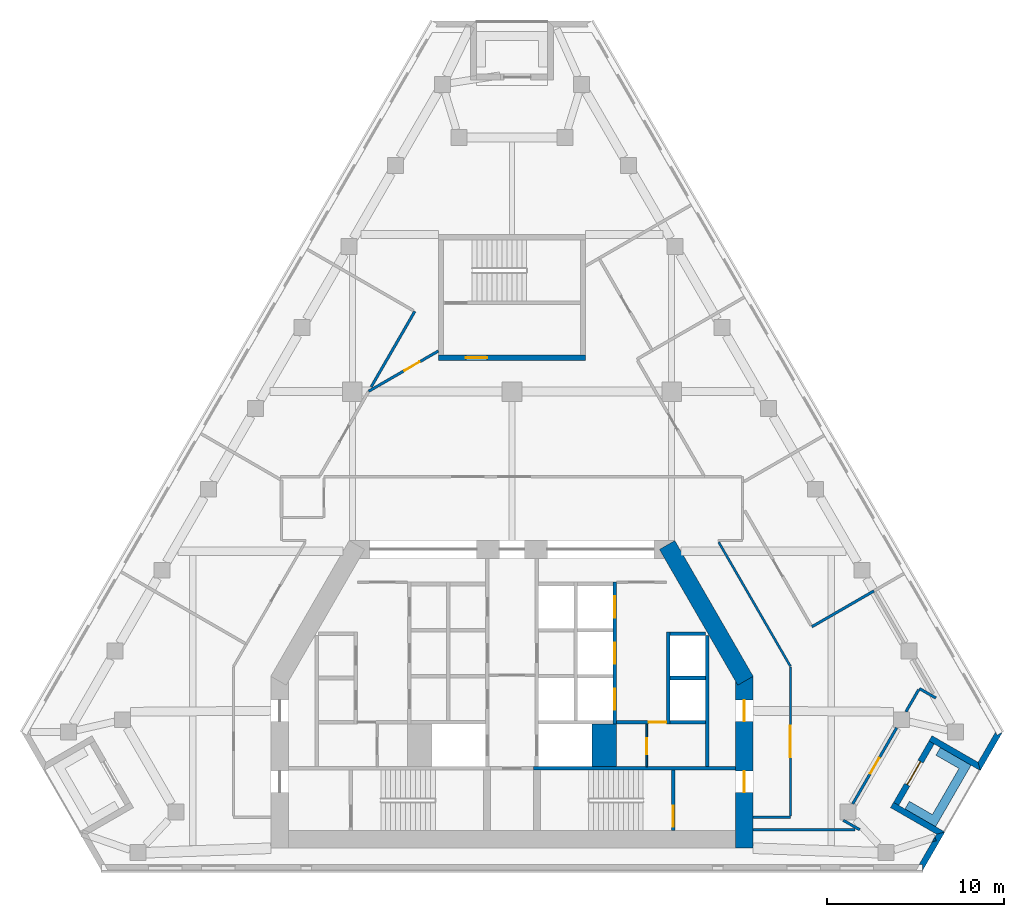
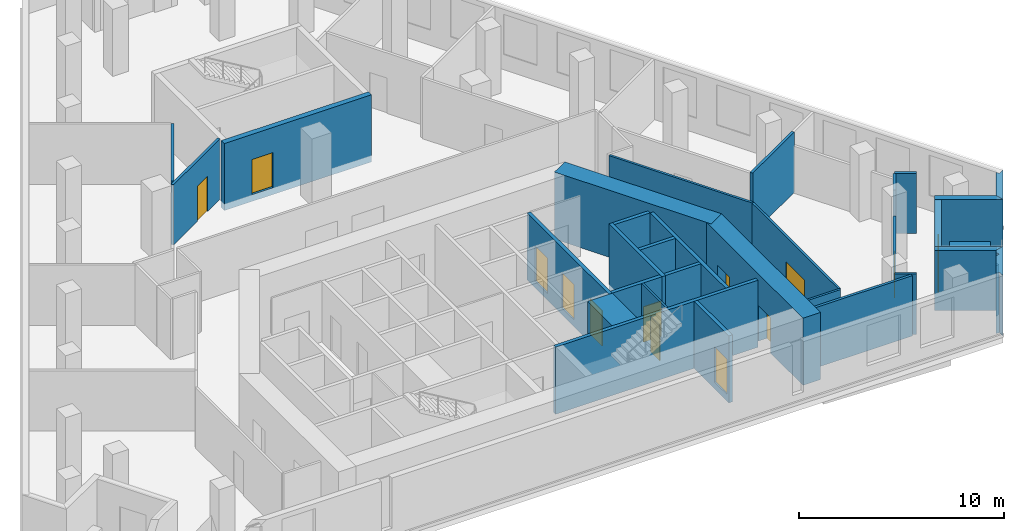
# One storey, part 6 of 9: 32 walls, 13 doors, 13 openings.
"""IFC4 building model written with IfcOpenShell, lengths in metres."""

from ifc_helpers import new_model, si_unit, direction, frame, frame_2d, origin, place, context, subcontext, project, spatial, polyline, rectangle, outline, extrude, material, layer, layer_set, type_object, element, fill, save


model = new_model("IFC4")

# Units and contexts
model_context = context("Model", 3, precision=1e-05, world=origin(), true_north=direction((0.0, 1.0)))
body_context = subcontext(model_context, "Body", "Model", "MODEL_VIEW")
ifc_project = project(units=[si_unit("LENGTHUNIT", "METRE"), si_unit("AREAUNIT", "SQUARE_METRE"), si_unit("VOLUMEUNIT", "CUBIC_METRE"), si_unit("PLANEANGLEUNIT", "RADIAN"), si_unit("MASSUNIT", "GRAM", prefix="KILO")], contexts=[model_context])

# Site, building, storey
site_placement = place(None, origin())
site = spatial("IfcSite", under=ifc_project, at=site_placement, CompositionType="ELEMENT")
building_placement = place(site_placement, origin())
building = spatial("IfcBuilding", under=site, at=building_placement, Name="Fogline Exchange Tower", CompositionType="ELEMENT")
storey_placement = place(building_placement, frame((0.0, 0.0, 202.10009765625)))
storey = spatial("IfcBuildingStorey", under=building, at=storey_placement, Name="L45", CompositionType="ELEMENT", Elevation=202.10009765625)

# Wall, opening, door
ifc_material_1 = material(Name="Blockwork partition", Category="masonry")
ifc_layer_1 = layer(ifc_material_1, 0.10009765625)
ifc_layer_set_1 = layer_set([ifc_layer_1], Name="CW10")
wall_type_1 = type_object("IfcWallType", Name="CW10", PredefinedType="PARTITIONING", material=ifc_layer_set_1)
wall_1_placement = place(storey_placement, frame((7.60009765625, 5.85009765625, 0.0), z_axis=(0.0, 0.0, 1.0), x_axis=(0.0, 1.0, 0.0)))
wall_1 = element("IfcWall", 1, at=wall_1_placement, inside=storey, type_object=wall_type_1, Name="WC partition", PredefinedType="PARTITIONING", context=body_context, shape_type="SweptSolid", body=[
    extrude(rectangle(XDim=2.39990234375, YDim=0.10009765625, at=frame_2d((1.199951171875, 0.0))), origin(), (0.0, 0.0, 1.0), 3.599853515625),
])
opening_1_placement = place(wall_1_placement, frame((0.699951171875, 0.0, 0.0)))
opening_1 = element("IfcOpeningElement", 2, at=opening_1_placement, cuts=wall_1, Name="Opening T14-C019", PredefinedType="OPENING", context=body_context, shape_type="SweptSolid", body=[
    extrude(rectangle(XDim=0.89990234375, YDim=2.10009765625, at=frame_2d((0.449951171875, 1.050048828125))), frame((0.0, 0.06005859375, 0.0), z_axis=(0.0, -1.0, 0.0), x_axis=(1.0, 0.0, 0.0)), (0.0, 0.0, 1.0), 0.1201171875),
])
ifc_material_2 = material(Name="Steel and timber fire door", Category="steel")
door_type_1 = type_object("IfcDoorType", Name="D-CS1", OperationType="SINGLE_SWING_RIGHT", PredefinedType="DOOR", material=ifc_material_2)
door_1_placement = place(opening_1_placement, origin())
door_1 = element("IfcDoor", 3, at=door_1_placement, inside=storey, type_object=door_type_1, Name="Door to Cleaner's Store", OperationType="SINGLE_SWING_LEFT", OverallHeight=2.10009765625, OverallWidth=0.89990234375, PredefinedType="DOOR", context=body_context, shape_type="SweptSolid", body=[
    extrude(rectangle(XDim=0.89990234375, YDim=2.10009765625, at=frame_2d((0.449951171875, 1.050048828125))), frame((0.0, 0.02490234375, 0.0), z_axis=(0.0, -1.0, 0.0), x_axis=(1.0, 0.0, 0.0)), (0.0, 0.0, 1.0), 0.050048828125),
])
fill(opening_1, door_1)

# Walls
ifc_material_3 = material(Name="Concrete C60", Category="concrete")
ifc_layer_2 = layer(ifc_material_3, 1.39990234375)
ifc_layer_set_2 = layer_set([ifc_layer_2], Name="CW140")
wall_type_2 = type_object("IfcWallType", Name="CW140", PredefinedType="SOLIDWALL", material=ifc_layer_set_2)
wall_2_placement = place(storey_placement, frame((5.199951171875, 5.85009765625, -0.400146484375), z_axis=(0.0, 0.0, 1.0), x_axis=(0.0, 1.0, 0.0)))
element("IfcWall", 4, at=wall_2_placement, inside=storey, type_object=wall_type_2, Name="Lift shaft block wall", PredefinedType="SOLIDWALL", context=body_context, shape_type="SweptSolid", body=[
    extrude(rectangle(XDim=2.39990234375, YDim=1.39990234375, at=frame_2d((1.199951171875, 0.0))), origin(), (0.0, 0.0, 1.0), 4.0),
])
ifc_material_4 = material(Name="Concrete C40", Category="concrete")
ifc_layer_3 = layer(ifc_material_4, 0.199951171875)
ifc_layer_set_3 = layer_set([ifc_layer_3], Name="CW20")
wall_type_3 = type_object("IfcWallType", Name="CW20", PredefinedType="SOLIDWALL", material=ifc_layer_set_3)
wall_3_placement = place(storey_placement, frame((11.0, 5.85009765625, 0.0), z_axis=(0.0, 0.0, 1.0), x_axis=(0.0, 1.0, 0.0)))
element("IfcWall", 5, at=wall_3_placement, inside=storey, type_object=wall_type_3, Name="Service room wall", PredefinedType="SOLIDWALL", context=body_context, shape_type="SweptSolid", body=[
    extrude(rectangle(XDim=7.39990234375, YDim=0.199951171875, at=frame_2d((3.699951171875, 0.0))), origin(), (0.0, 0.0, 1.0), 3.599853515625),
])

# Wall, opening, door
wall_4_placement = place(storey_placement, frame((5.89990234375, 8.35009765625, 0.0), z_axis=(0.0, 0.0, 1.0), x_axis=(1.0, 0.0, 0.0)))
wall_4 = element("IfcWall", 6, at=wall_4_placement, inside=storey, type_object=wall_type_3, Name="WC wall", PredefinedType="SOLIDWALL", context=body_context, shape_type="SweptSolid", body=[
    extrude(rectangle(XDim=2.800048828125, YDim=0.199951171875, at=frame_2d((1.39990234375, 0.0))), origin(), (0.0, 0.0, 1.0), 3.599853515625),
])
opening_2_placement = place(wall_4_placement, frame((1.800048828125, 0.0, 0.0)))
opening_2 = element("IfcOpeningElement", 7, at=opening_2_placement, cuts=wall_4, Name="Opening T14-C018", PredefinedType="OPENING", context=body_context, shape_type="SweptSolid", body=[
    extrude(rectangle(XDim=1.0, YDim=2.10009765625, at=frame_2d((0.5, 1.050048828125))), frame((0.0, 0.10986328125, 0.0), z_axis=(0.0, -1.0, 0.0), x_axis=(1.0, 0.0, 0.0)), (0.0, 0.0, 1.0), 0.219970703125),
])
door_type_2 = type_object("IfcDoorType", Name="D-WC1", OperationType="SINGLE_SWING_LEFT", PredefinedType="DOOR", material=ifc_material_2)
door_2_placement = place(opening_2_placement, frame((1.0, 0.0, 0.0), z_axis=(0.0, 0.0, 1.0), x_axis=(-1.0, 0.0, 0.0)))
door_2 = element("IfcDoor", 8, at=door_2_placement, inside=storey, type_object=door_type_2, Name="Door to Women's WC", OperationType="SINGLE_SWING_LEFT", OverallHeight=2.10009765625, OverallWidth=1.0, PredefinedType="DOOR", context=body_context, shape_type="SweptSolid", body=[
    extrude(rectangle(XDim=1.0, YDim=2.10009765625, at=frame_2d((0.5, 1.050048828125))), frame((0.0, 0.02490234375, 0.0), z_axis=(0.0, -1.0, 0.0), x_axis=(1.0, 0.0, 0.0)), (0.0, 0.0, 1.0), 0.050048828125),
])
fill(opening_2, door_2)

# Wall
ifc_layer_4 = layer(ifc_material_4, 0.199951171875)
ifc_layer_set_4 = layer_set([ifc_layer_4], Name="CW20R")
wall_type_4 = type_object("IfcWallType", Name="CW20R", PredefinedType="SOLIDWALL", material=ifc_layer_set_4)
wall_5_placement = place(storey_placement, frame((1.199951171875, 5.75, -0.400146484375), z_axis=(0.0, 0.0, 1.0), x_axis=(1.0, 0.0, 0.0)))
element("IfcWall", 9, at=wall_5_placement, inside=storey, type_object=wall_type_4, Name="Stair enclosure wall", PredefinedType="SOLIDWALL", context=body_context, shape_type="SweptSolid", body=[
    extrude(rectangle(XDim=11.400146484375, YDim=0.199951171875, at=frame_2d((5.7001953125, 0.0))), origin(), (0.0, 0.0, 1.0), 4.0),
])

# Wall, opening, door
wall_6_placement = place(storey_placement, frame((9.10009765625, 2.25, -0.400146484375), z_axis=(0.0, 0.0, 1.0), x_axis=(0.0, 1.0, 0.0)))
wall_6 = element("IfcWall", 10, at=wall_6_placement, inside=storey, type_object=wall_type_4, Name="Stair enclosure wall", PredefinedType="SOLIDWALL", context=body_context, shape_type="SweptSolid", body=[
    extrude(rectangle(XDim=3.39990234375, YDim=0.199951171875, at=frame_2d((1.699951171875, 0.0))), origin(), (0.0, 0.0, 1.0), 4.0),
])
opening_3_placement = place(wall_6_placement, frame((0.199951171875, 0.0, 0.39990234375)))
opening_3 = element("IfcOpeningElement", 11, at=opening_3_placement, cuts=wall_6, Name="Opening T14-C021", PredefinedType="OPENING", context=body_context, shape_type="SweptSolid", body=[
    extrude(rectangle(XDim=1.199951171875, YDim=2.10009765625, at=frame_2d((0.60009765625, 1.050048828125))), frame((0.0, 0.10986328125, 0.0), z_axis=(0.0, -1.0, 0.0), x_axis=(1.0, 0.0, 0.0)), (0.0, 0.0, 1.0), 0.219970703125),
])
door_type_3 = type_object("IfcDoorType", Name="D-ST1", OperationType="SINGLE_SWING_LEFT", PredefinedType="DOOR", material=ifc_material_2)
door_3_placement = place(opening_3_placement, origin())
door_3 = element("IfcDoor", 12, at=door_3_placement, inside=storey, type_object=door_type_3, Name="Stair door ST2", OperationType="SINGLE_SWING_LEFT", OverallHeight=2.10009765625, OverallWidth=1.199951171875, PredefinedType="DOOR", context=body_context, shape_type="SweptSolid", body=[
    extrude(rectangle(XDim=1.199951171875, YDim=2.10009765625, at=frame_2d((0.60009765625, 1.050048828125))), frame((0.0, 0.02490234375, 0.0), z_axis=(0.0, -1.0, 0.0), x_axis=(1.0, 0.0, 0.0)), (0.0, 0.0, 1.0), 0.050048828125),
])
fill(opening_3, door_3)

# Wall
ifc_layer_5 = layer(ifc_material_4, 0.199951171875)
ifc_layer_set_5 = layer_set([ifc_layer_5], Name="CW20S")
wall_type_5 = type_object("IfcWallType", Name="CW20S", PredefinedType="SOLIDWALL", material=ifc_layer_set_5)
wall_7_placement = place(storey_placement, frame((8.800048828125, 8.25, -0.400146484375), z_axis=(0.0, 0.0, 1.0), x_axis=(0.0, 1.0, 0.0)))
element("IfcWall", 13, at=wall_7_placement, inside=storey, type_object=wall_type_5, Name="Lift shaft wall", PredefinedType="SOLIDWALL", context=body_context, shape_type="SweptSolid", body=[
    extrude(rectangle(XDim=5.199951171875, YDim=0.199951171875, at=frame_2d((2.60009765625, 0.0))), origin(), (0.0, 0.0, 1.0), 4.0),
])

# Wall, openings, doors
wall_8_placement = place(storey_placement, frame((5.800048828125, 8.25, -0.400146484375), z_axis=(0.0, 0.0, 1.0), x_axis=(0.0, 1.0, 0.0)))
wall_8 = element("IfcWall", 14, at=wall_8_placement, inside=storey, type_object=wall_type_5, Name="Lift shaft wall", PredefinedType="SOLIDWALL", context=body_context, shape_type="SweptSolid", body=[
    extrude(rectangle(XDim=8.0, YDim=0.199951171875, at=frame_2d((4.0, 0.0))), origin(), (0.0, 0.0, 1.0), 4.0),
])
opening_4_placement = place(wall_8_placement, frame((0.800048828125, 0.0, 0.39990234375)))
opening_4 = element("IfcOpeningElement", 15, at=opening_4_placement, cuts=wall_8, Name="Opening T14-LD02", PredefinedType="OPENING", context=body_context, shape_type="SweptSolid", body=[
    extrude(rectangle(XDim=1.199951171875, YDim=2.10009765625, at=frame_2d((0.60009765625, 1.050048828125))), frame((0.0, 0.10986328125, 0.0), z_axis=(0.0, -1.0, 0.0), x_axis=(1.0, 0.0, 0.0)), (0.0, 0.0, 1.0), 0.219970703125),
])
opening_5_placement = place(wall_8_placement, frame((3.39990234375, 0.0, 0.39990234375)))
opening_5 = element("IfcOpeningElement", 16, at=opening_5_placement, cuts=wall_8, Name="Opening T14-LD03", PredefinedType="OPENING", context=body_context, shape_type="SweptSolid", body=[
    extrude(rectangle(XDim=1.199951171875, YDim=2.10009765625, at=frame_2d((0.60009765625, 1.050048828125))), frame((0.0, 0.10986328125, 0.0), z_axis=(0.0, -1.0, 0.0), x_axis=(1.0, 0.0, 0.0)), (0.0, 0.0, 1.0), 0.219970703125),
])
opening_6_placement = place(wall_8_placement, frame((6.0, 0.0, 0.39990234375)))
opening_6 = element("IfcOpeningElement", 17, at=opening_6_placement, cuts=wall_8, Name="Opening T14-LD04", PredefinedType="OPENING", context=body_context, shape_type="SweptSolid", body=[
    extrude(rectangle(XDim=1.199951171875, YDim=2.10009765625, at=frame_2d((0.60009765625, 1.050048828125))), frame((0.0, 0.10986328125, 0.0), z_axis=(0.0, -1.0, 0.0), x_axis=(1.0, 0.0, 0.0)), (0.0, 0.0, 1.0), 0.219970703125),
])
door_type_4 = type_object("IfcDoorType", Name="LD1", OperationType="SLIDING_TO_LEFT", PredefinedType="DOOR", material=ifc_material_2)
door_4_placement = place(opening_4_placement, origin())
door_4 = element("IfcDoor", 18, at=door_4_placement, inside=storey, type_object=door_type_4, Name="Landing door MR1", OperationType="SLIDING_TO_LEFT", OverallHeight=2.10009765625, OverallWidth=1.199951171875, PredefinedType="DOOR", context=body_context, shape_type="SweptSolid", body=[
    extrude(rectangle(XDim=1.199951171875, YDim=2.10009765625, at=frame_2d((0.60009765625, 1.050048828125))), frame((0.0, 0.02490234375, 0.0), z_axis=(0.0, -1.0, 0.0), x_axis=(1.0, 0.0, 0.0)), (0.0, 0.0, 1.0), 0.050048828125),
])
fill(opening_4, door_4)
door_5_placement = place(opening_5_placement, origin())
door_5 = element("IfcDoor", 19, at=door_5_placement, inside=storey, type_object=door_type_4, Name="Landing door MR2", OperationType="SLIDING_TO_LEFT", OverallHeight=2.10009765625, OverallWidth=1.199951171875, PredefinedType="DOOR", context=body_context, shape_type="SweptSolid", body=[
    extrude(rectangle(XDim=1.199951171875, YDim=2.10009765625, at=frame_2d((0.60009765625, 1.050048828125))), frame((0.0, 0.02490234375, 0.0), z_axis=(0.0, -1.0, 0.0), x_axis=(1.0, 0.0, 0.0)), (0.0, 0.0, 1.0), 0.050048828125),
])
fill(opening_5, door_5)
door_6_placement = place(opening_6_placement, origin())
door_6 = element("IfcDoor", 20, at=door_6_placement, inside=storey, type_object=door_type_4, Name="Landing door MR3", OperationType="SLIDING_TO_LEFT", OverallHeight=2.10009765625, OverallWidth=1.199951171875, PredefinedType="DOOR", context=body_context, shape_type="SweptSolid", body=[
    extrude(rectangle(XDim=1.199951171875, YDim=2.10009765625, at=frame_2d((0.60009765625, 1.050048828125))), frame((0.0, 0.02490234375, 0.0), z_axis=(0.0, -1.0, 0.0), x_axis=(1.0, 0.0, 0.0)), (0.0, 0.0, 1.0), 0.050048828125),
])
fill(opening_6, door_6)

# Walls
for number, where, z_axis, x_axis, name in (
    (21, (8.89990234375, 8.35009765625, -0.400146484375), (0.0, 0.0, 1.0), (1.0, 0.0, 0.0), "Lift shaft wall"),
    (22, (8.89990234375, 10.85009765625, -0.400146484375), (0.0, 0.0, 1.0), (1.0, 0.0, 0.0), "Lift shaft wall"),
    (23, (8.89990234375, 13.35009765625, -0.400146484375), (0.0, 0.0, 1.0), (1.0, 0.0, 0.0), "Lift shaft wall"),
):
    element("IfcWall", number, at=place(storey_placement, frame(where, z_axis=z_axis, x_axis=x_axis)), inside=storey, type_object=wall_type_5, Name=name, PredefinedType="SOLIDWALL", context=body_context, shape_type="SweptSolid", body=[
        extrude(rectangle(XDim=2.0, YDim=0.199951171875, at=frame_2d((1.0, 0.0))), origin(), (0.0, 0.0, 1.0), 4.0),
    ])

# Wall, opening, door
ifc_layer_6 = layer(ifc_material_4, 0.300048828125)
ifc_layer_set_6 = layer_set([ifc_layer_6], Name="CW30")
wall_type_6 = type_object("IfcWallType", Name="CW30", PredefinedType="SOLIDWALL", material=ifc_layer_set_6)
wall_9_placement = place(storey_placement, frame((-4.14990234375, 28.906982421875, -0.400146484375), z_axis=(0.0, 0.0, 1.0), x_axis=(1.0, 0.0, 0.0)))
wall_9 = element("IfcWall", 24, at=wall_9_placement, inside=storey, type_object=wall_type_6, Name="Stair enclosure wall ST3", PredefinedType="SOLIDWALL", context=body_context, shape_type="SweptSolid", body=[
    extrude(rectangle(XDim=8.2998046875, YDim=0.300048828125, at=frame_2d((4.14990234375, 0.0))), origin(), (0.0, 0.0, 1.0), 4.0),
])
opening_7_placement = place(wall_9_placement, frame((1.550048828125, 0.0, 0.39990234375)))
opening_7 = element("IfcOpeningElement", 25, at=opening_7_placement, cuts=wall_9, Name="Opening T14-C027", PredefinedType="OPENING", context=body_context, shape_type="SweptSolid", body=[
    extrude(rectangle(XDim=1.199951171875, YDim=2.10009765625, at=frame_2d((0.60009765625, 1.050048828125))), frame((0.0, 0.16015625, 0.0), z_axis=(0.0, -1.0, 0.0), x_axis=(1.0, 0.0, 0.0)), (0.0, 0.0, 1.0), 0.320068359375),
])
door_type_5 = type_object("IfcDoorType", Name="D-FR1", OperationType="SINGLE_SWING_RIGHT", PredefinedType="DOOR", material=ifc_material_2)
door_7_placement = place(opening_7_placement, origin())
door_7 = element("IfcDoor", 26, at=door_7_placement, inside=storey, type_object=door_type_5, Name="Front room door ST3", OperationType="SINGLE_SWING_LEFT", OverallHeight=2.10009765625, OverallWidth=1.199951171875, PredefinedType="DOOR", context=body_context, shape_type="SweptSolid", body=[
    extrude(rectangle(XDim=1.199951171875, YDim=2.10009765625, at=frame_2d((0.60009765625, 1.050048828125))), frame((0.0, 0.02490234375, 0.0), z_axis=(0.0, -1.0, 0.0), x_axis=(1.0, 0.0, 0.0)), (0.0, 0.0, 1.0), 0.050048828125),
])
fill(opening_7, door_7)

# Walls
ifc_material_5 = material(Name="Brick masonry", Category="masonry")
ifc_layer_7 = layer(ifc_material_5, 0.340087890625)
ifc_layer_set_7 = layer_set([ifc_layer_7], Name="FW1")
wall_type_7 = type_object("IfcWallType", Name="FW1", PredefinedType="SOLIDWALL", material=ifc_layer_set_7)
wall_10_placement = place(storey_placement, origin())
element("IfcWall", 27, at=wall_10_placement, inside=storey, type_object=wall_type_7, Name="Brick wall L45 SE-c1", PredefinedType="SOLIDWALL", context=body_context, shape_type="SweptSolid", body=[
    extrude(outline(polyline([(23.850341796875, 1.87890625), (23.912109375, 1.68408203125), (23.698974609375, 1.616455078125), (23.850341796875, 1.87890625)])), origin(), (0.0, 0.0, 1.0), 3.0),
])
wall_11_placement = place(storey_placement, origin())
element("IfcWall", 28, at=wall_11_placement, inside=storey, type_object=wall_type_7, Name="Brick wall L45 SE-c1", PredefinedType="SOLIDWALL", context=body_context, shape_type="SweptSolid", body=[
    extrude(outline(polyline([(23.158935546875, -0.001220703125), (23.158203125, -0.0009765625), (23.158203125, 0.33935546875), (22.961669921875, 0.33935546875), (23.698974609375, 1.616455078125), (23.912109375, 1.68408203125), (23.850341796875, 1.87890625), (23.944091796875, 2.041015625), (24.40966796875, 2.166015625), (24.409912109375, 2.165771484375), (23.158935546875, -0.001220703125)])), origin(), (0.0, 0.0, 1.0), 3.599853515625),
])
wall_12_placement = place(storey_placement, origin())
element("IfcWall", 29, at=wall_12_placement, inside=storey, type_object=wall_type_7, Name="Brick wall L45 SE-s1", PredefinedType="SOLIDWALL", context=body_context, shape_type="SweptSolid", body=[
    extrude(outline(polyline([(21.345458984375, 3.540283203125), (21.51611328125, 3.8359375), (21.81103515625, 3.66552734375), (24.41015625, 2.1650390625), (24.41015625, 2.164794921875), (23.9443359375, 2.0400390625), (21.345458984375, 3.540283203125)])), origin(), (0.0, 0.0, 1.0), 3.599853515625),
])

# Wall, opening, door
wall_13_placement = place(storey_placement, frame((21.66357421875, 3.75, 0.0), z_axis=(0.0, 0.0, 1.0), x_axis=(0.49999894854, 0.866026010844, 0.0)))
wall_13 = element("IfcWall", 30, at=wall_13_placement, inside=storey, type_object=wall_type_7, Name="Brick wall L45 SE-bk", PredefinedType="SOLIDWALL", context=body_context, shape_type="SweptSolid", body=[
    extrude(rectangle(XDim=4.0, YDim=0.340087890625, at=frame_2d((2.0, 0.0))), origin(), (0.0, 0.0, 1.0), 3.599853515625),
])
opening_8_placement = place(wall_13_placement, frame((1.25, 0.0, 0.0)))
opening_8 = element("IfcOpeningElement", 31, at=opening_8_placement, cuts=wall_13, Name="Opening T14-E081", PredefinedType="OPENING", context=body_context, shape_type="SweptSolid", body=[
    extrude(rectangle(XDim=1.5, YDim=2.39990234375, at=frame_2d((0.75, 1.199951171875))), frame((0.0, 0.18017578125, 0.0), z_axis=(0.0, -1.0, 0.0), x_axis=(1.0, 0.0, 0.0)), (0.0, 0.0, 1.0), 0.360107421875),
])
ifc_material_6 = material(Name="Aluminium and glass", Category="aluminium")
door_type_6 = type_object("IfcDoorType", Name="ED4", OperationType="SINGLE_SWING_LEFT", PredefinedType="DOOR", material=ifc_material_6)
door_8_placement = place(opening_8_placement, frame((1.5, 0.0, 0.0), z_axis=(0.0, 0.0, 1.0), x_axis=(-1.0, 0.0, 0.0)))
door_8 = element("IfcDoor", 32, at=door_8_placement, inside=storey, type_object=door_type_6, Name="Balcony door L45 SE", OperationType="DOUBLE_DOOR_SINGLE_SWING", OverallHeight=2.39990234375, OverallWidth=1.5, PredefinedType="DOOR", context=body_context, shape_type="SweptSolid", body=[
    extrude(rectangle(XDim=1.5, YDim=2.39990234375, at=frame_2d((0.75, 1.199951171875))), frame((0.0, 0.02490234375, 0.0), z_axis=(0.0, -1.0, 0.0), x_axis=(1.0, 0.0, 0.0)), (0.0, 0.0, 1.0), 0.050048828125),
])
fill(opening_8, door_8)

# Walls
wall_14_placement = place(storey_placement, origin())
element("IfcWall", 33, at=wall_14_placement, inside=storey, type_object=wall_type_7, Name="Brick wall L45 SE-s2", PredefinedType="SOLIDWALL", context=body_context, shape_type="SweptSolid", body=[
    extrude(outline(polyline([(26.409423828125, 5.628173828125), (23.810546875, 7.128662109375), (23.515625, 7.298828125), (23.686279296875, 7.594482421875), (26.284912109375, 6.093994140625), (26.40966796875, 5.62841796875), (26.409423828125, 5.628173828125)])), origin(), (0.0, 0.0, 1.0), 3.599853515625),
])
wall_15_placement = place(storey_placement, origin())
element("IfcWall", 34, at=wall_15_placement, inside=storey, type_object=wall_type_7, Name="Brick wall L45 SE-c2", PredefinedType="SOLIDWALL", context=body_context, shape_type="SweptSolid", body=[
    extrude(outline(polyline([(27.266357421875, 7.79541015625), (27.36474609375, 7.625), (27.65966796875, 7.79541015625), (27.659912109375, 7.794921875), (26.408935546875, 5.6279296875), (26.40869140625, 5.6279296875), (26.283935546875, 6.09375), (27.266357421875, 7.79541015625)])), origin(), (0.0, 0.0, 1.0), 3.599853515625),
])
ifc_material_7 = material(Name="Concrete C30", Category="concrete")
ifc_layer_8 = layer(ifc_material_7, 0.199951171875)
ifc_layer_set_8 = layer_set([ifc_layer_8], Name="PL1")
wall_type_8 = type_object("IfcWallType", Name="PL1", PredefinedType="USERDEFINED", material=ifc_layer_set_8)
wall_16_placement = place(storey_placement, origin())
element("IfcWall", 35, at=wall_16_placement, inside=storey, type_object=wall_type_8, Name="PLANTER balcony L45 SE", ObjectType="PLANTER", PredefinedType="USERDEFINED", context=body_context, shape_type="SweptSolid", body=[
    extrude(outline(polyline([(22.1572265625, 3.465087890625), (23.456298828125, 2.715087890625), (23.456298828125, 2.715087890625), (23.889404296875, 2.465087890625), (25.639404296875, 5.49609375), (25.889404296875, 5.92919921875), (24.1572265625, 6.92919921875), (23.9072265625, 6.49609375), (25.206298828125, 5.74609375), (23.706298828125, 3.148193359375), (22.4072265625, 3.898193359375), (22.1572265625, 3.465087890625)])), origin(), (0.0, 0.0, 1.0), 1.099853515625),
])
ifc_material_8 = material(Name="Plasterboard corridor partition with mineral wool, 2 layers each side")
ifc_layer_9 = layer(ifc_material_8, 0.125)
ifc_layer_set_9 = layer_set([ifc_layer_9], Name="PW2")
wall_type_9 = type_object("IfcWallType", Name="PW2", PredefinedType="PARTITIONING", material=ifc_layer_set_9)
wall_17_placement = place(storey_placement, frame((11.659912109375, 18.505859375, 0.0), z_axis=(0.0, 0.0, 1.0), x_axis=(0.499986612749, -0.866033132779, 0.0)))
element("IfcWall", 36, at=wall_17_placement, inside=storey, type_object=wall_type_9, Name="wall-L45-W001", PredefinedType="PARTITIONING", context=body_context, shape_type="SweptSolid", body=[
    extrude(rectangle(XDim=8.080322265625, YDim=0.125, at=frame_2d((4.0400390625, 0.0))), origin(), (0.0, 0.0, 1.0), 3.599853515625),
])

# Wall, opening, door
wall_18_placement = place(storey_placement, frame((15.699951171875, 11.47705078125, 0.0), z_axis=(0.0, 0.0, 1.0), x_axis=(0.0, -1.0, 0.0)))
wall_18 = element("IfcWall", 37, at=wall_18_placement, inside=storey, type_object=wall_type_9, Name="wall-L45-W002", PredefinedType="PARTITIONING", context=body_context, shape_type="SweptSolid", body=[
    extrude(rectangle(XDim=8.41455078125, YDim=0.125, at=frame_2d((4.207275390625, 0.0))), origin(), (0.0, 0.0, 1.0), 3.599853515625),
])
opening_9_placement = place(wall_18_placement, frame((3.307373046875, 0.0, 0.0)))
opening_9 = element("IfcOpeningElement", 38, at=opening_9_placement, cuts=wall_18, Name="Opening T14-D001", PredefinedType="OPENING", context=body_context, shape_type="SweptSolid", body=[
    extrude(rectangle(XDim=1.800048828125, YDim=2.10009765625, at=frame_2d((0.89990234375, 1.050048828125))), frame((0.0, 0.072509765625, 0.0), z_axis=(0.0, -1.0, 0.0), x_axis=(1.0, 0.0, 0.0)), (0.0, 0.0, 1.0), 0.14501953125),
])
ifc_material_9 = material(Name="Fire-rated timber door leaves with steel frame", Category="steel")
door_type_7 = type_object("IfcDoorType", Name="D4", OperationType="DOUBLE_DOOR_SINGLE_SWING", PredefinedType="DOOR", material=ifc_material_9)
door_9_placement = place(opening_9_placement, frame((1.800048828125, 0.0, 0.0), z_axis=(0.0, 0.0, 1.0), x_axis=(-1.0, 0.0, 0.0)))
door_9 = element("IfcDoor", 39, at=door_9_placement, inside=storey, type_object=door_type_7, Name="door-L45-D001", OperationType="DOUBLE_DOOR_SINGLE_SWING", OverallHeight=2.10009765625, OverallWidth=1.800048828125, PredefinedType="DOOR", context=body_context, shape_type="SweptSolid", body=[
    extrude(rectangle(XDim=1.800048828125, YDim=2.10009765625, at=frame_2d((0.89990234375, 1.050048828125))), frame((0.0, 0.02490234375, 0.0), z_axis=(0.0, -1.0, 0.0), x_axis=(1.0, 0.0, 0.0)), (0.0, 0.0, 1.0), 0.050048828125),
])
fill(opening_9, door_9)

# Walls
wall_19_placement = place(storey_placement, frame((15.699951171875, 3.0, 0.0), z_axis=(0.0, 0.0, 1.0), x_axis=(-1.0, 0.0, 0.0)))
element("IfcWall", 40, at=wall_19_placement, inside=storey, type_object=wall_type_9, Name="wall-L45-W003", PredefinedType="PARTITIONING", context=body_context, shape_type="SweptSolid", body=[
    extrude(rectangle(XDim=2.099853515625, YDim=0.125, at=frame_2d((1.0498046875, 0.0))), origin(), (0.0, 0.0, 1.0), 3.599853515625),
])
ifc_material_10 = material(Name="Plasterboard demising partition with mineral wool and acoustic board")
ifc_layer_10 = layer(ifc_material_10, 0.14990234375)
ifc_layer_set_10 = layer_set([ifc_layer_10], Name="PW3")
wall_type_10 = type_object("IfcWallType", Name="PW3", PredefinedType="PARTITIONING", material=ifc_layer_set_10)
wall_20_placement = place(storey_placement, frame((20.414794921875, 15.761474609375, 0.0), z_axis=(0.0, 0.0, 1.0), x_axis=(-0.866046058097, -0.499964223975, 0.0)))
element("IfcWall", 41, at=wall_20_placement, inside=storey, type_object=wall_type_10, Name="wall-L45-W020", PredefinedType="PARTITIONING", context=body_context, shape_type="SweptSolid", body=[
    extrude(rectangle(XDim=4.050048828125, YDim=0.14990234375, at=frame_2d((2.02490234375, 0.0))), origin(), (0.0, 0.0, 1.0), 3.599853515625),
])

# Wall, opening, door
wall_21_placement = place(storey_placement, frame((-8.08251953125, 27.021484375, 0.0), z_axis=(0.0, 0.0, 1.0), x_axis=(0.866024429177, 0.500001688065, 0.0)))
wall_21 = element("IfcWall", 42, at=wall_21_placement, inside=storey, type_object=wall_type_10, Name="wall-L45-W028", PredefinedType="PARTITIONING", context=body_context, shape_type="SweptSolid", body=[
    extrude(rectangle(XDim=4.541015625, YDim=0.14990234375, at=frame_2d((2.2705078125, 0.0))), origin(), (0.0, 0.0, 1.0), 3.599853515625),
])
opening_10_placement = place(wall_21_placement, frame((2.323486328125, 0.0, 0.0)))
opening_10 = element("IfcOpeningElement", 43, at=opening_10_placement, cuts=wall_21, Name="Opening T14-D010", PredefinedType="OPENING", context=body_context, shape_type="SweptSolid", body=[
    extrude(rectangle(XDim=1.0, YDim=2.10009765625, at=frame_2d((0.5, 1.050048828125))), frame((0.0, 0.0849609375, 0.0), z_axis=(0.0, -1.0, 0.0), x_axis=(1.0, 0.0, 0.0)), (0.0, 0.0, 1.0), 0.169921875),
])
ifc_material_11 = material(Name="Fire-rated timber door leaf with steel frame", Category="steel")
door_type_8 = type_object("IfcDoorType", Name="D3", OperationType="SINGLE_SWING_LEFT", PredefinedType="DOOR", material=ifc_material_11)
door_10_placement = place(opening_10_placement, origin())
door_10 = element("IfcDoor", 44, at=door_10_placement, inside=storey, type_object=door_type_8, Name="door-L45-D010", OperationType="SINGLE_SWING_RIGHT", OverallHeight=2.10009765625, OverallWidth=1.0, PredefinedType="DOOR", context=body_context, shape_type="SweptSolid", body=[
    extrude(rectangle(XDim=1.0, YDim=2.10009765625, at=frame_2d((0.5, 1.050048828125))), frame((0.0, 0.02490234375, 0.0), z_axis=(0.0, -1.0, 0.0), x_axis=(1.0, 0.0, 0.0)), (0.0, 0.0, 1.0), 0.050048828125),
])
fill(opening_10, door_10)

# Walls
wall_22_placement = place(storey_placement, frame((-7.9423828125, 27.26416015625, 0.0), z_axis=(0.0, 0.0, 1.0), x_axis=(0.499973161126, 0.866040898661, 0.0)))
element("IfcWall", 45, at=wall_22_placement, inside=storey, type_object=wall_type_10, Name="wall-L45-W030", PredefinedType="PARTITIONING", context=body_context, shape_type="SweptSolid", body=[
    extrude(rectangle(XDim=4.917236328125, YDim=0.14990234375, at=frame_2d((2.45849609375, 0.0))), origin(), (0.0, 0.0, 1.0), 3.599853515625),
])
wall_23_placement = place(storey_placement, frame((13.60009765625, 2.2900390625, 0.0), z_axis=(0.0, 0.0, 1.0), x_axis=(1.0, 0.0, 0.0)))
element("IfcWall", 46, at=wall_23_placement, inside=storey, type_object=wall_type_10, Name="wall-L45-W036", PredefinedType="PARTITIONING", context=body_context, shape_type="SweptSolid", body=[
    extrude(rectangle(XDim=5.732177734375, YDim=0.14990234375, at=frame_2d((2.8662109375, 0.0))), origin(), (0.0, 0.0, 1.0), 3.599853515625),
])
wall_24_placement = place(storey_placement, frame((19.612548828125, 2.2900390625, 0.0), z_axis=(0.0, 0.0, 1.0), x_axis=(-0.866037924238, 0.499978313311, 0.0)))
element("IfcWall", 47, at=wall_24_placement, inside=storey, type_object=wall_type_10, Name="wall-L45-W037", PredefinedType="PARTITIONING", context=body_context, shape_type="SweptSolid", body=[
    extrude(rectangle(XDim=1.07373046875, YDim=0.14990234375, at=frame_2d((0.536865234375, 0.0))), origin(), (0.0, 0.0, 1.0), 3.599853515625),
])

# Wall, opening, door
wall_25_placement = place(storey_placement, frame((19.215087890625, 3.7490234375, 0.0), z_axis=(0.0, 0.0, 1.0), x_axis=(0.499976646485, 0.866038886523, 0.0)))
wall_25 = element("IfcWall", 48, at=wall_25_placement, inside=storey, type_object=wall_type_10, Name="wall-L45-W038", PredefinedType="PARTITIONING", context=body_context, shape_type="SweptSolid", body=[
    extrude(rectangle(XDim=4.960693359375, YDim=0.14990234375, at=frame_2d((2.48046875, 0.0))), origin(), (0.0, 0.0, 1.0), 2.7998046875),
])
opening_11_placement = place(wall_25_placement, frame((1.98046875, 0.0, 0.0)))
opening_11 = element("IfcOpeningElement", 49, at=opening_11_placement, cuts=wall_25, Name="Opening T14-D012", PredefinedType="OPENING", context=body_context, shape_type="SweptSolid", body=[
    extrude(rectangle(XDim=1.0, YDim=2.10009765625, at=frame_2d((0.5, 1.050048828125))), frame((0.0, 0.0849609375, 0.0), z_axis=(0.0, -1.0, 0.0), x_axis=(1.0, 0.0, 0.0)), (0.0, 0.0, 1.0), 0.169921875),
])
door_11_placement = place(opening_11_placement, frame((1.0, 0.0, 0.0), z_axis=(0.0, 0.0, 1.0), x_axis=(-1.0, 0.0, 0.0)))
door_11 = element("IfcDoor", 50, at=door_11_placement, inside=storey, type_object=door_type_8, Name="door-L45-D012", OperationType="SINGLE_SWING_LEFT", OverallHeight=2.10009765625, OverallWidth=1.0, PredefinedType="DOOR", context=body_context, shape_type="SweptSolid", body=[
    extrude(rectangle(XDim=1.0, YDim=2.10009765625, at=frame_2d((0.5, 1.050048828125))), frame((0.0, 0.02490234375, 0.0), z_axis=(0.0, -1.0, 0.0), x_axis=(1.0, 0.0, 0.0)), (0.0, 0.0, 1.0), 0.050048828125),
])
fill(opening_11, door_11)

# Walls
wall_26_placement = place(storey_placement, frame((22.215087890625, 8.9453125, 0.0), z_axis=(0.0, 0.0, 1.0), x_axis=(0.499986626058, 0.866033125095, 0.0)))
element("IfcWall", 51, at=wall_26_placement, inside=storey, type_object=wall_type_10, Name="wall-L45-W039", PredefinedType="PARTITIONING", context=body_context, shape_type="SweptSolid", body=[
    extrude(rectangle(XDim=1.43994140625, YDim=0.14990234375, at=frame_2d((0.719970703125, 0.0))), origin(), (0.0, 0.0, 1.0), 3.599853515625),
])
wall_27_placement = place(storey_placement, frame((22.97265625, 10.25732421875, 0.0), z_axis=(0.0, 0.0, 1.0), x_axis=(0.866037924238, -0.499978313311, 0.0)))
element("IfcWall", 52, at=wall_27_placement, inside=storey, type_object=wall_type_10, Name="wall-L45-W040", PredefinedType="PARTITIONING", context=body_context, shape_type="SweptSolid", body=[
    extrude(rectangle(XDim=1.07373046875, YDim=0.14990234375, at=frame_2d((0.536865234375, 0.0))), origin(), (0.0, 0.0, 1.0), 3.599853515625),
])

# Wall, openings, doors
ifc_layer_11 = layer(ifc_material_3, 1.0)
ifc_layer_set_11 = layer_set([ifc_layer_11], Name="SW03")
wall_type_11 = type_object("IfcWallType", Name="SW03", PredefinedType="SHEAR", material=ifc_layer_set_11)
wall_28_placement = place(storey_placement, frame((13.10009765625, 1.25, 0.0), z_axis=(0.0, 0.0, 1.0), x_axis=(0.0, 1.0, 0.0)))
wall_28 = element("IfcWall", 53, at=wall_28_placement, inside=storey, type_object=wall_type_11, Name="L45-W902", PredefinedType="SHEAR", context=body_context, shape_type="SweptSolid", body=[
    extrude(rectangle(XDim=9.6953125, YDim=1.0, at=frame_2d((4.84765625, 0.0))), origin(), (0.0, 0.0, 1.0), 4.0),
])
opening_12_placement = place(wall_28_placement, frame((3.14990234375, 0.0, 0.0)))
opening_12 = element("IfcOpeningElement", 54, at=opening_12_placement, cuts=wall_28, Name="Opening T14-C020", PredefinedType="OPENING", context=body_context, shape_type="SweptSolid", body=[
    extrude(rectangle(XDim=1.199951171875, YDim=2.10009765625, at=frame_2d((0.60009765625, 1.050048828125))), frame((0.0, 0.510009765625, 0.0), z_axis=(0.0, -1.0, 0.0), x_axis=(1.0, 0.0, 0.0)), (0.0, 0.0, 1.0), 1.02001953125),
])
opening_13_placement = place(wall_28_placement, frame((7.14990234375, 0.0, 0.0)))
opening_13 = element("IfcOpeningElement", 55, at=opening_13_placement, cuts=wall_28, Name="Opening T14-C022", PredefinedType="OPENING", context=body_context, shape_type="SweptSolid", body=[
    extrude(rectangle(XDim=1.199951171875, YDim=2.10009765625, at=frame_2d((0.60009765625, 1.050048828125))), frame((0.0, 0.510009765625, 0.0), z_axis=(0.0, -1.0, 0.0), x_axis=(1.0, 0.0, 0.0)), (0.0, 0.0, 1.0), 1.02001953125),
])
door_12_placement = place(opening_12_placement, origin())
door_12 = element("IfcDoor", 56, at=door_12_placement, inside=storey, type_object=door_type_5, Name="Front room door ST2", OperationType="SINGLE_SWING_RIGHT", OverallHeight=2.10009765625, OverallWidth=1.199951171875, PredefinedType="DOOR", context=body_context, shape_type="SweptSolid", body=[
    extrude(rectangle(XDim=1.199951171875, YDim=2.10009765625, at=frame_2d((0.60009765625, 1.050048828125))), frame((0.0, 0.02490234375, 0.0), z_axis=(0.0, -1.0, 0.0), x_axis=(1.0, 0.0, 0.0)), (0.0, 0.0, 1.0), 0.050048828125),
])
fill(opening_12, door_12)
door_type_9 = type_object("IfcDoorType", Name="D-SV1", OperationType="SINGLE_SWING_LEFT", PredefinedType="DOOR", material=ifc_material_2)
door_13_placement = place(opening_13_placement, origin())
door_13 = element("IfcDoor", 57, at=door_13_placement, inside=storey, type_object=door_type_9, Name="Service door E", OperationType="SINGLE_SWING_RIGHT", OverallHeight=2.10009765625, OverallWidth=1.199951171875, PredefinedType="DOOR", context=body_context, shape_type="SweptSolid", body=[
    extrude(rectangle(XDim=1.199951171875, YDim=2.10009765625, at=frame_2d((0.60009765625, 1.050048828125))), frame((0.0, 0.02490234375, 0.0), z_axis=(0.0, -1.0, 0.0), x_axis=(1.0, 0.0, 0.0)), (0.0, 0.0, 1.0), 0.050048828125),
])
fill(opening_13, door_13)

# Wall
wall_29_placement = place(storey_placement, frame((13.1669921875, 10.6953125, 0.0), z_axis=(0.0, 0.0, 1.0), x_axis=(-0.499995021168, 0.866028278295, 0.0)))
element("IfcWall", 58, at=wall_29_placement, inside=storey, type_object=wall_type_11, Name="L45-W903", PredefinedType="SHEAR", context=body_context, shape_type="SweptSolid", body=[
    extrude(rectangle(XDim=8.8388671875, YDim=1.0, at=frame_2d((4.41943359375, 0.0))), origin(), (0.0, 0.0, 1.0), 4.0),
])

save(model, "model.ifc")
